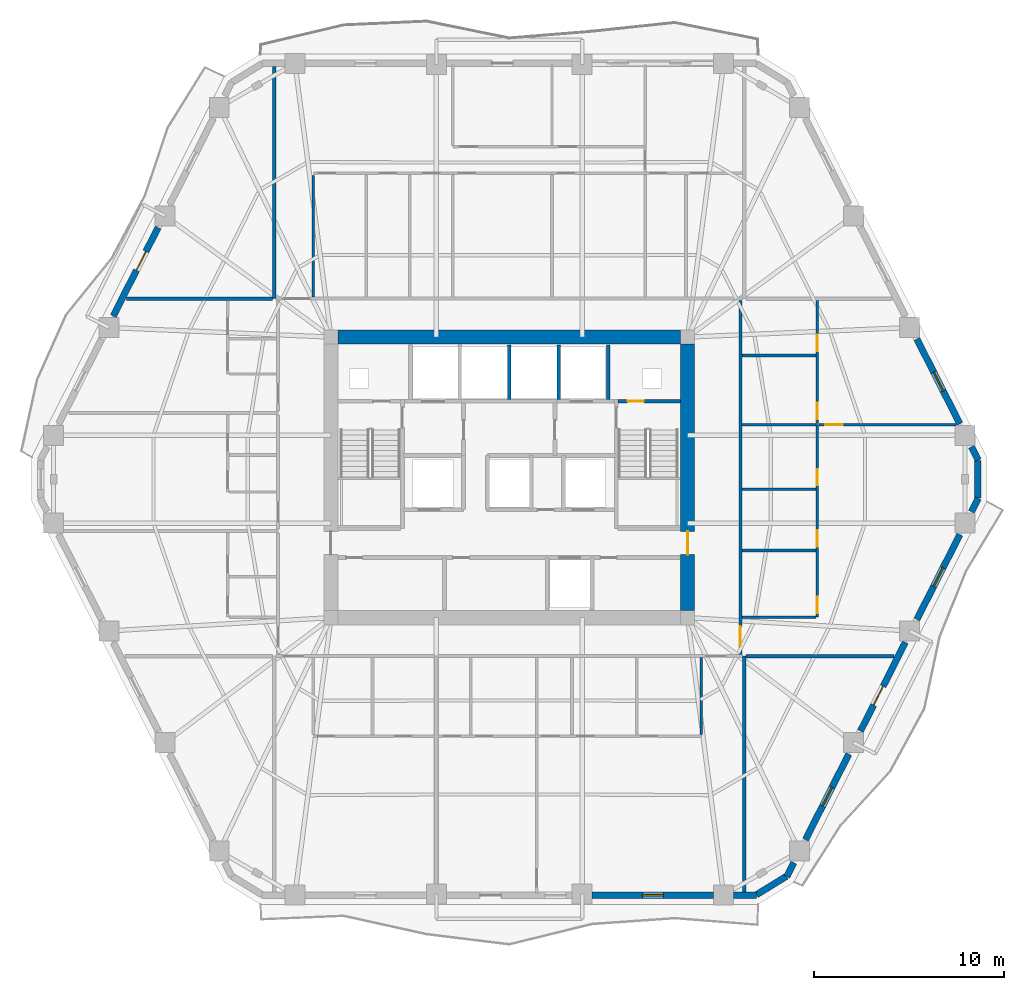
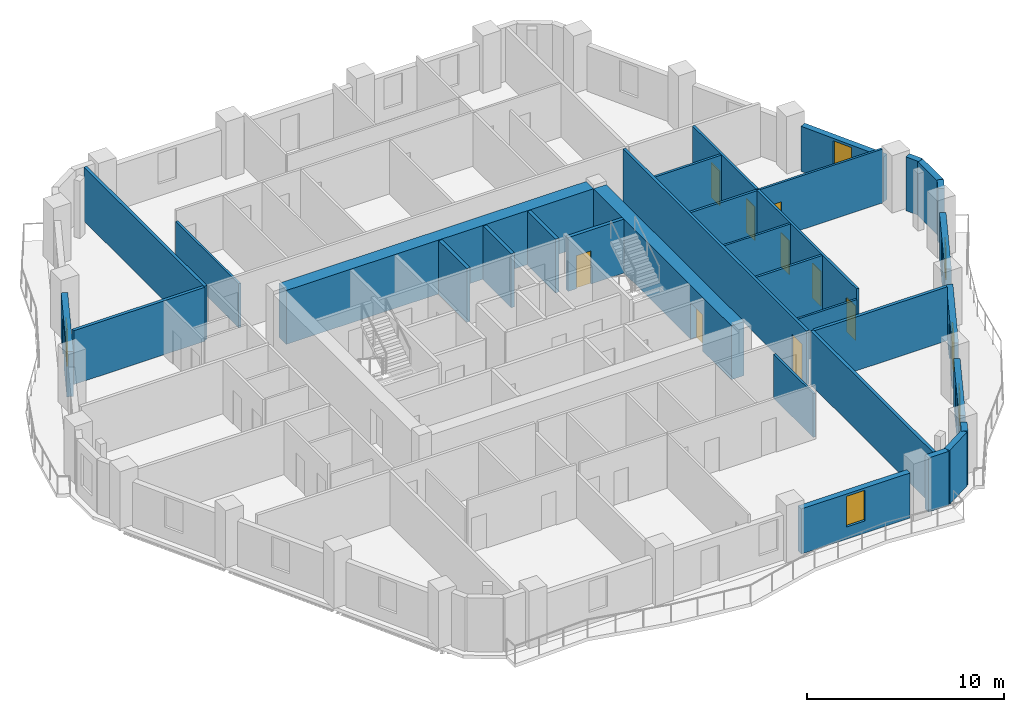
# One storey, part 6 of 10: 33 walls, 11 doors, 4 windows, 15 openings.
"""IFC4 building model written with IfcOpenShell, lengths in metres."""

from ifc_helpers import new_model, si_unit, direction, frame, frame_2d, origin, place, context, subcontext, project, spatial, rectangle, extrude, material, layer, layer_set, type_object, element, fill, save


model = new_model("IFC4")

# Units and contexts
model_context = context("Model", 3, precision=1e-05, world=origin(), true_north=direction((0.0, 1.0)))
body_context = subcontext(model_context, "Body", "Model", "MODEL_VIEW")
ifc_project = project(units=[si_unit("LENGTHUNIT", "METRE"), si_unit("AREAUNIT", "SQUARE_METRE"), si_unit("VOLUMEUNIT", "CUBIC_METRE"), si_unit("PLANEANGLEUNIT", "RADIAN"), si_unit("MASSUNIT", "GRAM", prefix="KILO")], contexts=[model_context])

# Site, building, storey
site_placement = place(None, origin())
site = spatial("IfcSite", under=ifc_project, at=site_placement, CompositionType="ELEMENT")
building_placement = place(site_placement, origin())
building = spatial("IfcBuilding", under=site, at=building_placement, Name="Cinnabar Lancet Tower", CompositionType="ELEMENT")
storey_placement = place(building_placement, frame((0.0, 0.0, 116.14990234375)))
storey = spatial("IfcBuildingStorey", under=building, at=storey_placement, Name="L30", CompositionType="ELEMENT", Elevation=116.14990234375)

# Wall, opening, door
ifc_material_1 = material(Name="Acoustic twin-stud gypsum partition", Category="gypsum")
ifc_layer_1 = layer(ifc_material_1, 0.159912109375)
ifc_layer_set_1 = layer_set([ifc_layer_1], Name="Acoustic twin-stud gypsum partition")
wall_type_1 = type_object("IfcWallType", Name="ARC-WL-CORR-160", PredefinedType="PARTITIONING", material=ifc_layer_set_1)
wall_1_placement = place(storey_placement, frame((44.550048828125, 16.594970703125, 0.0), z_axis=(0.0, 0.0, 1.0), x_axis=(0.0, 1.0, 0.0)))
wall_1 = element("IfcWall", 1, at=wall_1_placement, inside=storey, type_object=wall_type_1, Name="UW-L30-E01-COR", PredefinedType="PARTITIONING", context=body_context, shape_type="SweptSolid", body=[
    extrude(rectangle(XDim=18.610107421875, YDim=0.159912109375, at=frame_2d((9.30517578125, 0.0))), origin(), (0.0, 0.0, 1.0), 3.340087890625),
])
opening_1_placement = place(wall_1_placement, frame((0.449951171875, 0.0, 0.0)))
opening_1 = element("IfcOpeningElement", 2, at=opening_1_placement, cuts=wall_1, Name="Opening UD-01", PredefinedType="OPENING", context=body_context, shape_type="SweptSolid", body=[
    extrude(rectangle(XDim=1.02001953125, YDim=2.25, at=frame_2d((0.510009765625, 1.125))), frame((0.0, 0.08984375, 0.0), z_axis=(0.0, -1.0, 0.0), x_axis=(1.0, 0.0, 0.0)), (0.0, 0.0, 1.0), 0.179931640625),
])
ifc_material_2 = material(Name="Solid timber fire-rated apartment entrance door", Category="wood")
door_type_1 = type_object("IfcDoorType", Name="ARC-DR-UNIT", OperationType="NOTDEFINED", PredefinedType="DOOR", material=ifc_material_2)
door_1_placement = place(opening_1_placement, origin())
door_1 = element("IfcDoor", 3, at=door_1_placement, inside=storey, type_object=door_type_1, Name="DR-L30-E01-ENT", OperationType="SINGLE_SWING_LEFT", OverallHeight=2.25, OverallWidth=1.02001953125, PredefinedType="DOOR", context=body_context, shape_type="SweptSolid", body=[
    extrude(rectangle(XDim=1.02001953125, YDim=2.25, at=frame_2d((0.510009765625, 1.125))), frame((0.0, 0.02490234375, 0.0), z_axis=(0.0, -1.0, 0.0), x_axis=(1.0, 0.0, 0.0)), (0.0, 0.0, 1.0), 0.050048828125),
])
fill(opening_1, door_1)

# Walls
ifc_material_3 = material(Name="Fire-rated twin-frame acoustic drywall", Category="gypsum")
ifc_layer_2 = layer(ifc_material_3, 0.179931640625)
ifc_layer_set_2 = layer_set([ifc_layer_2], Name="Fire-rated twin-frame acoustic drywall")
wall_type_2 = type_object("IfcWallType", Name="ARC-WL-PARTY-180", PredefinedType="PARTITIONING", material=ifc_layer_set_2)
wall_2_placement = place(storey_placement, frame((44.75, 4.10498046875, 0.0), z_axis=(0.0, 0.0, 1.0), x_axis=(0.0, 1.0, 0.0)))
element("IfcWall", 4, at=wall_2_placement, inside=storey, type_object=wall_type_2, Name="PW-L30-SPTY-448", PredefinedType="PARTITIONING", context=body_context, shape_type="SweptSolid", body=[
    extrude(rectangle(XDim=12.39501953125, YDim=0.179931640625, at=frame_2d((6.197509765625, 0.0))), origin(), (0.0, 0.0, 1.0), 3.340087890625),
])
wall_3_placement = place(storey_placement, frame((20.050048828125, 35.300048828125, 0.0), z_axis=(0.0, 0.0, 1.0), x_axis=(0.0, 1.0, 0.0)))
element("IfcWall", 5, at=wall_3_placement, inside=storey, type_object=wall_type_2, Name="PW-L30-NPTY-200", PredefinedType="PARTITIONING", context=body_context, shape_type="SweptSolid", body=[
    extrude(rectangle(XDim=12.195068359375, YDim=0.179931640625, at=frame_2d((6.09765625, 0.0))), origin(), (0.0, 0.0, 1.0), 3.340087890625),
])
wall_4_placement = place(storey_placement, frame((44.844970703125, 16.5, 0.0), z_axis=(0.0, 0.0, 1.0), x_axis=(1.0, 0.0, 0.0)))
element("IfcWall", 6, at=wall_4_placement, inside=storey, type_object=wall_type_2, Name="PW-L30-ESB", PredefinedType="PARTITIONING", context=body_context, shape_type="SweptSolid", body=[
    extrude(rectangle(XDim=7.77001953125, YDim=0.179931640625, at=frame_2d((3.885009765625, 0.0))), origin(), (0.0, 0.0, 1.0), 3.340087890625),
])
wall_5_placement = place(storey_placement, frame((12.285888671875, 35.300048828125, 0.0), z_axis=(0.0, 0.0, 1.0), x_axis=(1.0, 0.0, 0.0)))
element("IfcWall", 7, at=wall_5_placement, inside=storey, type_object=wall_type_2, Name="PW-L30-WNB", PredefinedType="PARTITIONING", context=body_context, shape_type="SweptSolid", body=[
    extrude(rectangle(XDim=7.669189453125, YDim=0.179931640625, at=frame_2d((3.83447265625, 0.0))), origin(), (0.0, 0.0, 1.0), 3.340087890625),
])

# Wall, opening, door
ifc_material_4 = material(Name="Autoclaved aerated concrete blockwork", Category="masonry")
ifc_layer_3 = layer(ifc_material_4, 0.199951171875)
ifc_layer_set_3 = layer_set([ifc_layer_3], Name="Autoclaved aerated concrete blockwork")
wall_type_3 = type_object("IfcWallType", Name="ARC-WL-SHAFT-200", PredefinedType="PLUMBINGWALL", material=ifc_layer_set_3)
wall_6_placement = place(storey_placement, frame((38.125, 29.89990234375, 0.0), z_axis=(0.0, 0.0, 1.0), x_axis=(1.0, 0.0, 0.0)))
wall_6 = element("IfcWall", 8, at=wall_6_placement, inside=storey, type_object=wall_type_3, Name="CW-NSH-E-L30", PredefinedType="PLUMBINGWALL", context=body_context, shape_type="SweptSolid", body=[
    extrude(rectangle(XDim=3.27001953125, YDim=0.199951171875, at=frame_2d((1.635009765625, 0.0))), origin(), (0.0, 0.0, 1.0), 3.340087890625),
])
opening_2_placement = place(wall_6_placement, frame((0.5, 0.0, 0.0)))
opening_2 = element("IfcOpeningElement", 9, at=opening_2_placement, cuts=wall_6, Name="Opening PD-02", PredefinedType="OPENING", context=body_context, shape_type="SweptSolid", body=[
    extrude(rectangle(XDim=0.85009765625, YDim=2.050048828125, at=frame_2d((0.425048828125, 1.02490234375))), frame((0.0, 0.10986328125, 0.0), z_axis=(0.0, -1.0, 0.0), x_axis=(1.0, 0.0, 0.0)), (0.0, 0.0, 1.0), 0.219970703125),
])
ifc_material_5 = material(Name="Fire-rated steel riser access door", Category="steel")
door_type_2 = type_object("IfcDoorType", Name="ARC-DR-RISER", OperationType="NOTDEFINED", PredefinedType="DOOR", material=ifc_material_5)
door_2_placement = place(opening_2_placement, origin())
door_2 = element("IfcDoor", 10, at=door_2_placement, inside=storey, type_object=door_type_2, Name="L30 East Riser Access Door", OperationType="SINGLE_SWING_RIGHT", OverallHeight=2.050048828125, OverallWidth=0.85009765625, PredefinedType="DOOR", context=body_context, shape_type="SweptSolid", body=[
    extrude(rectangle(XDim=0.85009765625, YDim=2.050048828125, at=frame_2d((0.425048828125, 1.02490234375))), frame((0.0, 0.02490234375, 0.0), z_axis=(0.0, -1.0, 0.0), x_axis=(1.0, 0.0, 0.0)), (0.0, 0.0, 1.0), 0.050048828125),
])
fill(opening_2, door_2)

# Walls
for number, where, z_axis, x_axis, name in (
    (11, (32.39990234375, 30.0, 0.0), (0.0, 0.0, 1.0), (0.0, 1.0, 0.0), "CW-NSH-D3-L30"),
    (12, (35.0, 30.0, 0.0), (0.0, 0.0, 1.0), (0.0, 1.0, 0.0), "CW-NSH-D4-L30"),
    (13, (37.60009765625, 30.0, 0.0), (0.0, 0.0, 1.0), (0.0, 1.0, 0.0), "CW-NSH-D5-L30"),
):
    element("IfcWall", number, at=place(storey_placement, frame(where, z_axis=z_axis, x_axis=x_axis)), inside=storey, type_object=wall_type_3, Name=name, PredefinedType="PLUMBINGWALL", context=body_context, shape_type="SweptSolid", body=[
        extrude(rectangle(XDim=2.85009765625, YDim=0.199951171875, at=frame_2d((1.425048828125, 0.0))), origin(), (0.0, 0.0, 1.0), 3.340087890625),
    ])
ifc_material_6 = material(Name="Gypsum plasterboard stud partition", Category="gypsum")
ifc_layer_4 = layer(ifc_material_6, 0.125)
ifc_layer_set_4 = layer_set([ifc_layer_4], Name="Gypsum plasterboard stud partition")
wall_type_4 = type_object("IfcWallType", Name="ARC-WL-UNIT-125", PredefinedType="PARTITIONING", material=ifc_layer_set_4)
wall_7_placement = place(storey_placement, frame((42.5, 12.39111328125, 0.0), z_axis=(0.0, 0.0, 1.0), x_axis=(0.0, 1.0, 0.0)))
element("IfcWall", 14, at=wall_7_placement, inside=storey, type_object=wall_type_4, Name="UW-L30-S02-FOYW", PredefinedType="PARTITIONING", context=body_context, shape_type="SweptSolid", body=[
    extrude(rectangle(XDim=4.02392578125, YDim=0.125, at=frame_2d((2.011962890625, 0.0))), origin(), (0.0, 0.0, 1.0), 2.72216796875),
])
wall_8_placement = place(storey_placement, frame((22.10009765625, 35.385009765625, 0.0), z_axis=(0.0, 0.0, 1.0), x_axis=(0.0, 1.0, 0.0)))
element("IfcWall", 15, at=wall_8_placement, inside=storey, type_object=wall_type_4, Name="UW-L30-N01-FOYE", PredefinedType="PARTITIONING", context=body_context, shape_type="SweptSolid", body=[
    extrude(rectangle(XDim=6.39501953125, YDim=0.125, at=frame_2d((3.197509765625, 0.0))), origin(), (0.0, 0.0, 1.0), 2.72216796875),
])
wall_9_placement = place(storey_placement, frame((44.635009765625, 18.550048828125, 0.0), z_axis=(0.0, 0.0, 1.0), x_axis=(1.0, 0.0, 0.0)))
element("IfcWall", 16, at=wall_9_placement, inside=storey, type_object=wall_type_4, Name="UW-L30-E01-FOYN", PredefinedType="PARTITIONING", context=body_context, shape_type="SweptSolid", body=[
    extrude(rectangle(XDim=3.8798828125, YDim=0.125, at=frame_2d((1.93994140625, 0.0))), origin(), (0.0, 0.0, 1.0), 2.72216796875),
])

# Wall, opening, door
wall_10_placement = place(storey_placement, frame((48.675048828125, 28.672119140625, 0.0), z_axis=(0.0, 0.0, 1.0), x_axis=(1.0, 0.0, 0.0)))
wall_10 = element("IfcWall", 17, at=wall_10_placement, inside=storey, type_object=wall_type_4, Name="UW-L30-E01-MBN", PredefinedType="PARTITIONING", context=body_context, shape_type="SweptSolid", body=[
    extrude(rectangle(XDim=7.2080078125, YDim=0.125, at=frame_2d((3.60400390625, 0.0))), origin(), (0.0, 0.0, 1.0), 3.340087890625),
])
opening_3_placement = place(wall_10_placement, frame((0.35009765625, 0.0, 0.0)))
opening_3 = element("IfcOpeningElement", 18, at=opening_3_placement, cuts=wall_10, Name="Opening RD-01", PredefinedType="OPENING", context=body_context, shape_type="SweptSolid", body=[
    extrude(rectangle(XDim=0.919921875, YDim=2.14990234375, at=frame_2d((0.4599609375, 1.074951171875))), frame((0.0, 0.072509765625, 0.0), z_axis=(0.0, -1.0, 0.0), x_axis=(1.0, 0.0, 0.0)), (0.0, 0.0, 1.0), 0.14501953125),
])
ifc_material_7 = material(Name="Engineered timber bedroom door", Category="wood")
door_type_3 = type_object("IfcDoorType", Name="ARC-DR-ROOM", OperationType="NOTDEFINED", PredefinedType="DOOR", material=ifc_material_7)
door_3_placement = place(opening_3_placement, origin())
door_3 = element("IfcDoor", 19, at=door_3_placement, inside=storey, type_object=door_type_3, Name="DR-L30-E01-MBD", OperationType="SINGLE_SWING_LEFT", OverallHeight=2.14990234375, OverallWidth=0.919921875, PredefinedType="DOOR", context=body_context, shape_type="SweptSolid", body=[
    extrude(rectangle(XDim=0.919921875, YDim=2.14990234375, at=frame_2d((0.4599609375, 1.074951171875))), frame((0.0, 0.02490234375, 0.0), z_axis=(0.0, -1.0, 0.0), x_axis=(1.0, 0.0, 0.0)), (0.0, 0.0, 1.0), 0.050048828125),
])
fill(opening_3, door_3)

# Wall
wall_11_placement = place(storey_placement, frame((44.635009765625, 25.27197265625, 0.0), z_axis=(0.0, 0.0, 1.0), x_axis=(1.0, 0.0, 0.0)))
element("IfcWall", 20, at=wall_11_placement, inside=storey, type_object=wall_type_4, Name="UW-L30-E01-UDV", PredefinedType="PARTITIONING", context=body_context, shape_type="SweptSolid", body=[
    extrude(rectangle(XDim=3.8798828125, YDim=0.125, at=frame_2d((1.93994140625, 0.0))), origin(), (0.0, 0.0, 1.0), 3.340087890625),
])

# Wall, openings, doors
ifc_material_8 = material(Name="Moisture-resistant cement-board plumbing wall", Category="masonry")
ifc_layer_5 = layer(ifc_material_8, 0.139892578125)
ifc_layer_set_5 = layer_set([ifc_layer_5], Name="Moisture-resistant cement-board plumbing wall")
wall_type_5 = type_object("IfcWallType", Name="ARC-WL-WET-140", PredefinedType="PLUMBINGWALL", material=ifc_layer_set_5)
wall_12_placement = place(storey_placement, frame((48.60009765625, 18.550048828125, 0.0), z_axis=(0.0, 0.0, 1.0), x_axis=(0.0, 1.0, 0.0)))
wall_12 = element("IfcWall", 21, at=wall_12_placement, inside=storey, type_object=wall_type_5, Name="UW-L30-E01-SPL", PredefinedType="PLUMBINGWALL", context=body_context, shape_type="SweptSolid", body=[
    extrude(rectangle(XDim=10.1220703125, YDim=0.139892578125, at=frame_2d((5.06103515625, 0.0))), origin(), (0.0, 0.0, 1.0), 3.340087890625),
])
opening_4_placement = place(wall_12_placement, frame((0.199951171875, 0.0, 0.0)))
opening_4 = element("IfcOpeningElement", 22, at=opening_4_placement, cuts=wall_12, Name="Opening RD-02", PredefinedType="OPENING", context=body_context, shape_type="SweptSolid", body=[
    extrude(rectangle(XDim=0.8798828125, YDim=2.14990234375, at=frame_2d((0.43994140625, 1.074951171875))), frame((0.0, 0.079833984375, 0.0), z_axis=(0.0, -1.0, 0.0), x_axis=(1.0, 0.0, 0.0)), (0.0, 0.0, 1.0), 0.159912109375),
])
opening_5_placement = place(wall_12_placement, frame((3.699951171875, 0.0, 0.0)))
opening_5 = element("IfcOpeningElement", 23, at=opening_5_placement, cuts=wall_12, Name="Opening RD-02", PredefinedType="OPENING", context=body_context, shape_type="SweptSolid", body=[
    extrude(rectangle(XDim=0.8798828125, YDim=2.14990234375, at=frame_2d((0.43994140625, 1.074951171875))), frame((0.0, 0.079833984375, 0.0), z_axis=(0.0, -1.0, 0.0), x_axis=(1.0, 0.0, 0.0)), (0.0, 0.0, 1.0), 0.159912109375),
])
opening_6_placement = place(wall_12_placement, frame((6.922119140625, 0.0, 0.0)))
opening_6 = element("IfcOpeningElement", 24, at=opening_6_placement, cuts=wall_12, Name="Opening BD-01", PredefinedType="OPENING", context=body_context, shape_type="SweptSolid", body=[
    extrude(rectangle(XDim=0.860107421875, YDim=2.10009765625, at=frame_2d((0.43017578125, 1.050048828125))), frame((0.0, 0.079833984375, 0.0), z_axis=(0.0, -1.0, 0.0), x_axis=(1.0, 0.0, 0.0)), (0.0, 0.0, 1.0), 0.159912109375),
])
ifc_material_9 = material(Name="Moisture-resistant timber bathroom door", Category="wood")
door_type_4 = type_object("IfcDoorType", Name="ARC-DR-BATH", OperationType="NOTDEFINED", PredefinedType="DOOR", material=ifc_material_9)
door_4_placement = place(opening_6_placement, origin())
door_4 = element("IfcDoor", 25, at=door_4_placement, inside=storey, type_object=door_type_4, Name="DR-L30-E01-BTH", OperationType="SINGLE_SWING_RIGHT", OverallHeight=2.10009765625, OverallWidth=0.860107421875, PredefinedType="DOOR", context=body_context, shape_type="SweptSolid", body=[
    extrude(rectangle(XDim=0.860107421875, YDim=2.10009765625, at=frame_2d((0.43017578125, 1.050048828125))), frame((0.0, 0.02490234375, 0.0), z_axis=(0.0, -1.0, 0.0), x_axis=(1.0, 0.0, 0.0)), (0.0, 0.0, 1.0), 0.050048828125),
])
fill(opening_6, door_4)
ifc_material_10 = material(Name="Engineered timber study door", Category="wood")
door_type_5 = type_object("IfcDoorType", Name="ARC-DR-STUDY", OperationType="NOTDEFINED", PredefinedType="DOOR", material=ifc_material_10)
door_5_placement = place(opening_4_placement, origin())
door_5 = element("IfcDoor", 26, at=door_5_placement, inside=storey, type_object=door_type_5, Name="DR-L30-E01-KIT", OperationType="SINGLE_SWING_RIGHT", OverallHeight=2.14990234375, OverallWidth=0.8798828125, PredefinedType="DOOR", context=body_context, shape_type="SweptSolid", body=[
    extrude(rectangle(XDim=0.8798828125, YDim=2.14990234375, at=frame_2d((0.43994140625, 1.074951171875))), frame((0.0, 0.02490234375, 0.0), z_axis=(0.0, -1.0, 0.0), x_axis=(1.0, 0.0, 0.0)), (0.0, 0.0, 1.0), 0.050048828125),
])
fill(opening_4, door_5)
door_6_placement = place(opening_5_placement, origin())
door_6 = element("IfcDoor", 27, at=door_6_placement, inside=storey, type_object=door_type_5, Name="DR-L30-E01-UTL", OperationType="SINGLE_SWING_LEFT", OverallHeight=2.14990234375, OverallWidth=0.8798828125, PredefinedType="DOOR", context=body_context, shape_type="SweptSolid", body=[
    extrude(rectangle(XDim=0.8798828125, YDim=2.14990234375, at=frame_2d((0.43994140625, 1.074951171875))), frame((0.0, 0.02490234375, 0.0), z_axis=(0.0, -1.0, 0.0), x_axis=(1.0, 0.0, 0.0)), (0.0, 0.0, 1.0), 0.050048828125),
])
fill(opening_5, door_6)

wall_13_placement = place(storey_placement, frame((48.60009765625, 28.741943359375, 0.0), z_axis=(0.0, 0.0, 1.0), x_axis=(0.0, 1.0, 0.0)))
wall_13 = element("IfcWall", 28, at=wall_13_placement, inside=storey, type_object=wall_type_5, Name="UW-L30-E01-SPM", PredefinedType="PLUMBINGWALL", context=body_context, shape_type="SweptSolid", body=[
    extrude(rectangle(XDim=6.463134765625, YDim=0.139892578125, at=frame_2d((3.2314453125, 0.0))), origin(), (0.0, 0.0, 1.0), 3.340087890625),
])
opening_7_placement = place(wall_13_placement, frame((0.219970703125, 0.0, 0.0)))
opening_7 = element("IfcOpeningElement", 29, at=opening_7_placement, cuts=wall_13, Name="Opening BD-01", PredefinedType="OPENING", context=body_context, shape_type="SweptSolid", body=[
    extrude(rectangle(XDim=0.860107421875, YDim=2.10009765625, at=frame_2d((0.43017578125, 1.050048828125))), frame((0.0, 0.079833984375, 0.0), z_axis=(0.0, -1.0, 0.0), x_axis=(1.0, 0.0, 0.0)), (0.0, 0.0, 1.0), 0.159912109375),
])
opening_8_placement = place(wall_13_placement, frame((3.785888671875, 0.0, 0.0)))
opening_8 = element("IfcOpeningElement", 30, at=opening_8_placement, cuts=wall_13, Name="Opening RD-02", PredefinedType="OPENING", context=body_context, shape_type="SweptSolid", body=[
    extrude(rectangle(XDim=0.8798828125, YDim=2.14990234375, at=frame_2d((0.43994140625, 1.074951171875))), frame((0.0, 0.079833984375, 0.0), z_axis=(0.0, -1.0, 0.0), x_axis=(1.0, 0.0, 0.0)), (0.0, 0.0, 1.0), 0.159912109375),
])
door_7_placement = place(opening_7_placement, origin())
door_7 = element("IfcDoor", 31, at=door_7_placement, inside=storey, type_object=door_type_4, Name="DR-L30-E01-ENS", OperationType="SINGLE_SWING_LEFT", OverallHeight=2.10009765625, OverallWidth=0.860107421875, PredefinedType="DOOR", context=body_context, shape_type="SweptSolid", body=[
    extrude(rectangle(XDim=0.860107421875, YDim=2.10009765625, at=frame_2d((0.43017578125, 1.050048828125))), frame((0.0, 0.02490234375, 0.0), z_axis=(0.0, -1.0, 0.0), x_axis=(1.0, 0.0, 0.0)), (0.0, 0.0, 1.0), 0.050048828125),
])
fill(opening_7, door_7)
door_8_placement = place(opening_8_placement, origin())
door_8 = element("IfcDoor", 32, at=door_8_placement, inside=storey, type_object=door_type_5, Name="DR-L30-E01-EWDR", OperationType="SINGLE_SWING_RIGHT", OverallHeight=2.14990234375, OverallWidth=0.8798828125, PredefinedType="DOOR", context=body_context, shape_type="SweptSolid", body=[
    extrude(rectangle(XDim=0.8798828125, YDim=2.14990234375, at=frame_2d((0.43994140625, 1.074951171875))), frame((0.0, 0.02490234375, 0.0), z_axis=(0.0, -1.0, 0.0), x_axis=(1.0, 0.0, 0.0)), (0.0, 0.0, 1.0), 0.050048828125),
])
fill(opening_8, door_8)

# Walls
for number, where, z_axis, x_axis, name in (
    (33, (44.635009765625, 28.672119140625, 0.0), (0.0, 0.0, 1.0), (1.0, 0.0, 0.0), "UW-L30-E01-ENSN"),
    (34, (44.635009765625, 22.050048828125, 0.0), (0.0, 0.0, 1.0), (1.0, 0.0, 0.0), "UW-L30-E01-KDV"),
    (35, (44.635009765625, 32.30810546875, 0.0), (0.0, 0.0, 1.0), (1.0, 0.0, 0.0), "UW-L30-E01-EWDV"),
):
    element("IfcWall", number, at=place(storey_placement, frame(where, z_axis=z_axis, x_axis=x_axis)), inside=storey, type_object=wall_type_5, Name=name, PredefinedType="PLUMBINGWALL", context=body_context, shape_type="SweptSolid", body=[
        extrude(rectangle(XDim=3.8798828125, YDim=0.139892578125, at=frame_2d((1.93994140625, 0.0))), origin(), (0.0, 0.0, 1.0), 3.340087890625),
    ])
ifc_material_11 = material(Name="Cinnabar red clay brick", Category="masonry")
ifc_layer_6 = layer(ifc_material_11, 0.340087890625)
ifc_layer_set_6 = layer_set([ifc_layer_6], Name="Cinnabar red clay brick")
wall_type_6 = type_object("IfcWallType", Name="ENV-WL-BRK-RED-340", PredefinedType="STANDARD", material=ifc_layer_set_6)
wall_14_placement = place(storey_placement, frame((45.39697265625, 3.955078125, 0.0), z_axis=(0.0, 0.0, 1.0), x_axis=(0.851798915137, 0.523868884523, 0.0)))
element("IfcWall", 36, at=wall_14_placement, inside=storey, type_object=wall_type_6, Name="L30 Chamfered Corner Brick Pier 2.1", PredefinedType="STANDARD", context=body_context, shape_type="SweptSolid", body=[
    extrude(rectangle(XDim=1.847900390625, YDim=0.340087890625, at=frame_2d((0.923828125, 0.0))), origin(), (0.0, 0.0, 1.0), 3.340087890625),
])
wall_15_placement = place(storey_placement, frame((57.032958984375, 24.802978515625, 0.0), z_axis=(0.0, 0.0, 1.0), x_axis=(0.0, 1.0, 0.0)))
element("IfcWall", 37, at=wall_15_placement, inside=storey, type_object=wall_type_6, Name="L30 Chamfered Corner Brick Pier 3.1", PredefinedType="STANDARD", context=body_context, shape_type="SweptSolid", body=[
    extrude(rectangle(XDim=1.994140625, YDim=0.340087890625, at=frame_2d((0.9970703125, 0.0))), origin(), (0.0, 0.0, 1.0), 3.340087890625),
])

# Wall, opening, window
wall_16_placement = place(storey_placement, frame((36.760986328125, 3.929931640625, 0.0), z_axis=(0.0, 0.0, 1.0), x_axis=(1.0, 0.0, 0.0)))
wall_16 = element("IfcWall", 38, at=wall_16_placement, inside=storey, type_object=wall_type_6, Name="L30 Face 1 Masonry Bay Wall 4", PredefinedType="STANDARD", context=body_context, shape_type="SweptSolid", body=[
    extrude(rectangle(XDim=6.37890625, YDim=0.340087890625, at=frame_2d((3.189453125, 0.0))), origin(), (0.0, 0.0, 1.0), 2.797119140625),
])
opening_9_placement = place(wall_16_placement, frame((2.638916015625, 0.0, 0.75)))
opening_9 = element("IfcOpeningElement", 39, at=opening_9_placement, cuts=wall_16, Name="Opening WN-04", PredefinedType="OPENING", context=body_context, shape_type="SweptSolid", body=[
    extrude(rectangle(XDim=1.10009765625, YDim=1.89697265625, at=frame_2d((0.550048828125, 0.948486328125))), frame((0.0, 0.179931640625, 0.0), z_axis=(0.0, -1.0, 0.0), x_axis=(1.0, 0.0, 0.0)), (0.0, 0.0, 1.0), 0.360107421875),
])
ifc_material_12 = material(Name="Thermally broken bronze-anodized aluminium tall lancet window", Category="aluminium")
window_type = type_object("IfcWindowType", Name="ENV-WN-LANCET-1100", PartitioningType="SINGLE_PANEL", PredefinedType="WINDOW", material=ifc_material_12)
window_1_placement = place(opening_9_placement, origin())
window_1 = element("IfcWindow", 40, at=window_1_placement, inside=storey, type_object=window_type, Name="L30 Face 1 Gothic Lancet Window 4", OverallHeight=1.89697265625, OverallWidth=1.10009765625, PartitioningType="SINGLE_PANEL", PredefinedType="WINDOW", context=body_context, shape_type="SweptSolid", body=[
    extrude(rectangle(XDim=1.10009765625, YDim=1.89697265625, at=frame_2d((0.550048828125, 0.948486328125))), frame((0.0, 0.030029296875, 0.0), z_axis=(0.0, -1.0, 0.0), x_axis=(1.0, 0.0, 0.0)), (0.0, 0.0, 1.0), 0.06005859375),
])
fill(opening_9, window_1)

# Walls
wall_17_placement = place(storey_placement, frame((44.197998046875, 3.929931640625, 0.0), z_axis=(0.0, 0.0, 1.0), x_axis=(1.0, 0.0, 0.0)))
element("IfcWall", 41, at=wall_17_placement, inside=storey, type_object=wall_type_6, Name="L30 Face 1 Masonry Bay Wall 5", PredefinedType="STANDARD", context=body_context, shape_type="SweptSolid", body=[
    extrude(rectangle(XDim=1.2041015625, YDim=0.340087890625, at=frame_2d((0.60205078125, 0.0))), origin(), (0.0, 0.0, 1.0), 3.340087890625),
])
wall_18_placement = place(storey_placement, frame((46.990966796875, 4.906982421875, 0.0), z_axis=(0.0, 0.0, 1.0), x_axis=(0.45172514337, 0.892157158155, 0.0)))
element("IfcWall", 42, at=wall_18_placement, inside=storey, type_object=wall_type_6, Name="L30 Face 2 Masonry Bay Wall 1", PredefinedType="STANDARD", context=body_context, shape_type="SweptSolid", body=[
    extrude(rectangle(XDim=0.821533203125, YDim=0.340087890625, at=frame_2d((0.41064453125, 0.0))), origin(), (0.0, 0.0, 1.0), 3.340087890625),
])

# Wall, opening, window
wall_19_placement = place(storey_placement, frame((47.97509765625, 6.85205078125, 0.0), z_axis=(0.0, 0.0, 1.0), x_axis=(0.451548465867, 0.892246593142, 0.0)))
wall_19 = element("IfcWall", 43, at=wall_19_placement, inside=storey, type_object=wall_type_6, Name="L30 Face 2 Masonry Bay Wall 2", PredefinedType="STANDARD", context=body_context, shape_type="SweptSolid", body=[
    extrude(rectangle(XDim=5.040283203125, YDim=0.340087890625, at=frame_2d((2.52001953125, 0.0))), origin(), (0.0, 0.0, 1.0), 2.797119140625),
])
opening_10_placement = place(wall_19_placement, frame((1.969970703125, 0.0, 0.75)))
opening_10 = element("IfcOpeningElement", 44, at=opening_10_placement, cuts=wall_19, Name="Opening WN-04", PredefinedType="OPENING", context=body_context, shape_type="SweptSolid", body=[
    extrude(rectangle(XDim=1.10009765625, YDim=1.89697265625, at=frame_2d((0.550048828125, 0.948486328125))), frame((0.0, 0.179931640625, 0.0), z_axis=(0.0, -1.0, 0.0), x_axis=(1.0, 0.0, 0.0)), (0.0, 0.0, 1.0), 0.360107421875),
])
window_2_placement = place(opening_10_placement, origin())
window_2 = element("IfcWindow", 45, at=window_2_placement, inside=storey, type_object=window_type, Name="L30 Face 2 Gothic Lancet Window 2", OverallHeight=1.89697265625, OverallWidth=1.10009765625, PartitioningType="SINGLE_PANEL", PredefinedType="WINDOW", context=body_context, shape_type="SweptSolid", body=[
    extrude(rectangle(XDim=1.10009765625, YDim=1.89697265625, at=frame_2d((0.550048828125, 0.948486328125))), frame((0.0, 0.030029296875, 0.0), z_axis=(0.0, -1.0, 0.0), x_axis=(1.0, 0.0, 0.0)), (0.0, 0.0, 1.0), 0.06005859375),
])
fill(opening_10, window_2)

# Wall, opening, door
wall_20_placement = place(storey_placement, frame((50.863037109375, 12.56103515625, 0.0), z_axis=(0.0, 0.0, 1.0), x_axis=(0.451567731634, 0.892236842855, 0.0)))
wall_20 = element("IfcWall", 46, at=wall_20_placement, inside=storey, type_object=wall_type_6, Name="L30 Face 2 Masonry Bay Wall 3", PredefinedType="STANDARD", context=body_context, shape_type="SweptSolid", body=[
    extrude(rectangle(XDim=5.219482421875, YDim=0.340087890625, at=frame_2d((2.60986328125, 0.0))), origin(), (0.0, 0.0, 1.0), 2.797119140625),
])
opening_11_placement = place(wall_20_placement, frame((1.531982421875, 0.0, 0.0)))
opening_11 = element("IfcOpeningElement", 47, at=opening_11_placement, cuts=wall_20, Name="Opening TD-01", PredefinedType="OPENING", context=body_context, shape_type="SweptSolid", body=[
    extrude(rectangle(XDim=1.10009765625, YDim=2.25, at=frame_2d((0.550048828125, 1.125))), frame((0.0, 0.179931640625, 0.0), z_axis=(0.0, -1.0, 0.0), x_axis=(1.0, 0.0, 0.0)), (0.0, 0.0, 1.0), 0.360107421875),
])
ifc_material_13 = material(Name="Thermally broken low-E glazed balcony terrace door", Category="wood")
door_type_6 = type_object("IfcDoorType", Name="ARC-DR-BALC", OperationType="NOTDEFINED", PredefinedType="DOOR", material=ifc_material_13)
door_9_placement = place(opening_11_placement, origin())
door_9 = element("IfcDoor", 48, at=door_9_placement, inside=storey, type_object=door_type_6, Name="L30 Face 2 Glazed Terrace Door", OperationType="SINGLE_SWING_LEFT", OverallHeight=2.25, OverallWidth=1.10009765625, PredefinedType="DOOR", context=body_context, shape_type="SweptSolid", body=[
    extrude(rectangle(XDim=1.10009765625, YDim=2.25, at=frame_2d((0.550048828125, 1.125))), frame((0.0, 0.02490234375, 0.0), z_axis=(0.0, -1.0, 0.0), x_axis=(1.0, 0.0, 0.0)), (0.0, 0.0, 1.0), 0.050048828125),
])
fill(opening_11, door_9)

# Wall, opening, window
wall_21_placement = place(storey_placement, frame((53.83203125, 18.427978515625, 0.0), z_axis=(0.0, 0.0, 1.0), x_axis=(0.451431617681, 0.892305718102, 0.0)))
wall_21 = element("IfcWall", 49, at=wall_21_placement, inside=storey, type_object=wall_type_6, Name="L30 Face 2 Masonry Bay Wall 4", PredefinedType="STANDARD", context=body_context, shape_type="SweptSolid", body=[
    extrude(rectangle(XDim=4.994873046875, YDim=0.340087890625, at=frame_2d((2.49755859375, 0.0))), origin(), (0.0, 0.0, 1.0), 2.797119140625),
])
opening_12_placement = place(wall_21_placement, frame((1.947021484375, 0.0, 0.75)))
opening_12 = element("IfcOpeningElement", 50, at=opening_12_placement, cuts=wall_21, Name="Opening WN-04", PredefinedType="OPENING", context=body_context, shape_type="SweptSolid", body=[
    extrude(rectangle(XDim=1.10009765625, YDim=1.89697265625, at=frame_2d((0.550048828125, 0.948486328125))), frame((0.0, 0.179931640625, 0.0), z_axis=(0.0, -1.0, 0.0), x_axis=(1.0, 0.0, 0.0)), (0.0, 0.0, 1.0), 0.360107421875),
])
window_3_placement = place(opening_12_placement, origin())
window_3 = element("IfcWindow", 51, at=window_3_placement, inside=storey, type_object=window_type, Name="L30 Face 2 Gothic Lancet Window 4", OverallHeight=1.89697265625, OverallWidth=1.10009765625, PartitioningType="SINGLE_PANEL", PredefinedType="WINDOW", context=body_context, shape_type="SweptSolid", body=[
    extrude(rectangle(XDim=1.10009765625, YDim=1.89697265625, at=frame_2d((0.550048828125, 0.948486328125))), frame((0.0, 0.030029296875, 0.0), z_axis=(0.0, -1.0, 0.0), x_axis=(1.0, 0.0, 0.0)), (0.0, 0.0, 1.0), 0.06005859375),
])
fill(opening_12, window_3)

# Walls
for number, where, z_axis, x_axis, name in (
    (52, (56.699951171875, 24.096923828125, 0.0), (0.0, 0.0, 1.0), (0.451819324107, 0.89210946546, 0.0), "L30 Face 2 Masonry Bay Wall 5"),
    (53, (57.053955078125, 26.803955078125, 0.0), (0.0, 0.0, 1.0), (-0.451819324107, 0.89210946546, 0.0), "L30 Face 3 Masonry Bay Wall 1"),
):
    element("IfcWall", number, at=place(storey_placement, frame(where, z_axis=z_axis, x_axis=x_axis)), inside=storey, type_object=wall_type_6, Name=name, PredefinedType="STANDARD", context=body_context, shape_type="SweptSolid", body=[
        extrude(rectangle(XDim=0.783447265625, YDim=0.340087890625, at=frame_2d((0.3916015625, 0.0))), origin(), (0.0, 0.0, 1.0), 3.340087890625),
    ])

# Wall, opening, window
wall_22_placement = place(storey_placement, frame((56.0869140625, 28.715087890625, 0.0), z_axis=(0.0, 0.0, 1.0), x_axis=(-0.451431617681, 0.892305718102, 0.0)))
wall_22 = element("IfcWall", 54, at=wall_22_placement, inside=storey, type_object=wall_type_6, Name="L30 Face 3 Masonry Bay Wall 2", PredefinedType="STANDARD", context=body_context, shape_type="SweptSolid", body=[
    extrude(rectangle(XDim=4.994873046875, YDim=0.340087890625, at=frame_2d((2.49755859375, 0.0))), origin(), (0.0, 0.0, 1.0), 2.797119140625),
])
opening_13_placement = place(wall_22_placement, frame((1.947021484375, 0.0, 0.75)))
opening_13 = element("IfcOpeningElement", 55, at=opening_13_placement, cuts=wall_22, Name="Opening WN-04", PredefinedType="OPENING", context=body_context, shape_type="SweptSolid", body=[
    extrude(rectangle(XDim=1.10009765625, YDim=1.89697265625, at=frame_2d((0.550048828125, 0.948486328125))), frame((0.0, 0.179931640625, 0.0), z_axis=(0.0, -1.0, 0.0), x_axis=(1.0, 0.0, 0.0)), (0.0, 0.0, 1.0), 0.360107421875),
])
window_4_placement = place(opening_13_placement, origin())
window_4 = element("IfcWindow", 56, at=window_4_placement, inside=storey, type_object=window_type, Name="L30 Face 3 Gothic Lancet Window 2", OverallHeight=1.89697265625, OverallWidth=1.10009765625, PartitioningType="SINGLE_PANEL", PredefinedType="WINDOW", context=body_context, shape_type="SweptSolid", body=[
    extrude(rectangle(XDim=1.10009765625, YDim=1.89697265625, at=frame_2d((0.550048828125, 0.948486328125))), frame((0.0, 0.030029296875, 0.0), z_axis=(0.0, -1.0, 0.0), x_axis=(1.0, 0.0, 0.0)), (0.0, 0.0, 1.0), 0.06005859375),
])
fill(opening_13, window_4)

# Wall, opening, door
wall_23_placement = place(storey_placement, frame((13.93701171875, 39.0390625, 0.0), z_axis=(0.0, 0.0, 1.0), x_axis=(-0.451567731634, -0.892236842855, 0.0)))
wall_23 = element("IfcWall", 57, at=wall_23_placement, inside=storey, type_object=wall_type_6, Name="L30 Face 5 Masonry Bay Wall 3", PredefinedType="STANDARD", context=body_context, shape_type="SweptSolid", body=[
    extrude(rectangle(XDim=5.219482421875, YDim=0.340087890625, at=frame_2d((2.60986328125, 0.0))), origin(), (0.0, 0.0, 1.0), 2.797119140625),
])
opening_14_placement = place(wall_23_placement, frame((1.419921875, 0.0, 0.0)))
opening_14 = element("IfcOpeningElement", 58, at=opening_14_placement, cuts=wall_23, Name="Opening TD-01", PredefinedType="OPENING", context=body_context, shape_type="SweptSolid", body=[
    extrude(rectangle(XDim=1.10009765625, YDim=2.25, at=frame_2d((0.550048828125, 1.125))), frame((0.0, 0.179931640625, 0.0), z_axis=(0.0, -1.0, 0.0), x_axis=(1.0, 0.0, 0.0)), (0.0, 0.0, 1.0), 0.360107421875),
])
door_10_placement = place(opening_14_placement, origin())
door_10 = element("IfcDoor", 59, at=door_10_placement, inside=storey, type_object=door_type_6, Name="L30 Face 5 Glazed Terrace Door", OperationType="SINGLE_SWING_RIGHT", OverallHeight=2.25, OverallWidth=1.10009765625, PredefinedType="DOOR", context=body_context, shape_type="SweptSolid", body=[
    extrude(rectangle(XDim=1.10009765625, YDim=2.25, at=frame_2d((0.550048828125, 1.125))), frame((0.0, 0.02490234375, 0.0), z_axis=(0.0, -1.0, 0.0), x_axis=(1.0, 0.0, 0.0)), (0.0, 0.0, 1.0), 0.050048828125),
])
fill(opening_14, door_10)

# Wall
ifc_material_14 = material(Name="Concrete C70/85", Category="concrete")
ifc_layer_7 = layer(ifc_material_14, 0.75)
ifc_layer_set_7 = layer_set([ifc_layer_7], Name="Concrete C70/85")
wall_type_7 = type_object("IfcWallType", Name="STR-WL-CORE-750", PredefinedType="SHEAR", material=ifc_layer_set_7)
wall_24_placement = place(storey_placement, frame((23.39990234375, 33.27490234375, 0.0), z_axis=(0.0, 0.0, 1.0), x_axis=(1.0, 0.0, 0.0)))
element("IfcWall", 60, at=wall_24_placement, inside=storey, type_object=wall_type_7, Name="L30 Core Shear Wall N", PredefinedType="SHEAR", context=body_context, shape_type="SweptSolid", body=[
    extrude(rectangle(XDim=18.0, YDim=0.75, at=frame_2d((9.0, 0.0))), origin(), (0.0, 0.0, 1.0), 3.340087890625),
])

# Wall, opening, door
wall_25_placement = place(storey_placement, frame((41.77490234375, 18.89990234375, 0.0), z_axis=(0.0, 0.0, 1.0), x_axis=(0.0, 1.0, 0.0)))
wall_25 = element("IfcWall", 61, at=wall_25_placement, inside=storey, type_object=wall_type_7, Name="L30 Core Shear Wall E", PredefinedType="SHEAR", context=body_context, shape_type="SweptSolid", body=[
    extrude(rectangle(XDim=14.0, YDim=0.75, at=frame_2d((7.0, 0.0))), origin(), (0.0, 0.0, 1.0), 3.340087890625),
])
opening_15_placement = place(wall_25_placement, frame((2.93994140625, 0.0, 0.0)))
opening_15 = element("IfcOpeningElement", 62, at=opening_15_placement, cuts=wall_25, Name="Opening FD-02", PredefinedType="OPENING", context=body_context, shape_type="SweptSolid", body=[
    extrude(rectangle(XDim=1.219970703125, YDim=2.25, at=frame_2d((0.60986328125, 1.125))), frame((0.0, 0.385009765625, 0.0), z_axis=(0.0, -1.0, 0.0), x_axis=(1.0, 0.0, 0.0)), (0.0, 0.0, 1.0), 0.77001953125),
])
ifc_material_15 = material(Name="Fire-rated double-vision core portal door", Category="wood")
door_type_7 = type_object("IfcDoorType", Name="ARC-DR-CPORT", OperationType="NOTDEFINED", PredefinedType="DOOR", material=ifc_material_15)
door_11_placement = place(opening_15_placement, origin())
door_11 = element("IfcDoor", 63, at=door_11_placement, inside=storey, type_object=door_type_7, Name="L30 East Core Lobby Fire Door", OperationType="SINGLE_SWING_LEFT", OverallHeight=2.25, OverallWidth=1.219970703125, PredefinedType="DOOR", context=body_context, shape_type="SweptSolid", body=[
    extrude(rectangle(XDim=1.219970703125, YDim=2.25, at=frame_2d((0.60986328125, 1.125))), frame((0.0, 0.02490234375, 0.0), z_axis=(0.0, -1.0, 0.0), x_axis=(1.0, 0.0, 0.0)), (0.0, 0.0, 1.0), 0.050048828125),
])
fill(opening_15, door_11)

save(model, "model.ifc")
